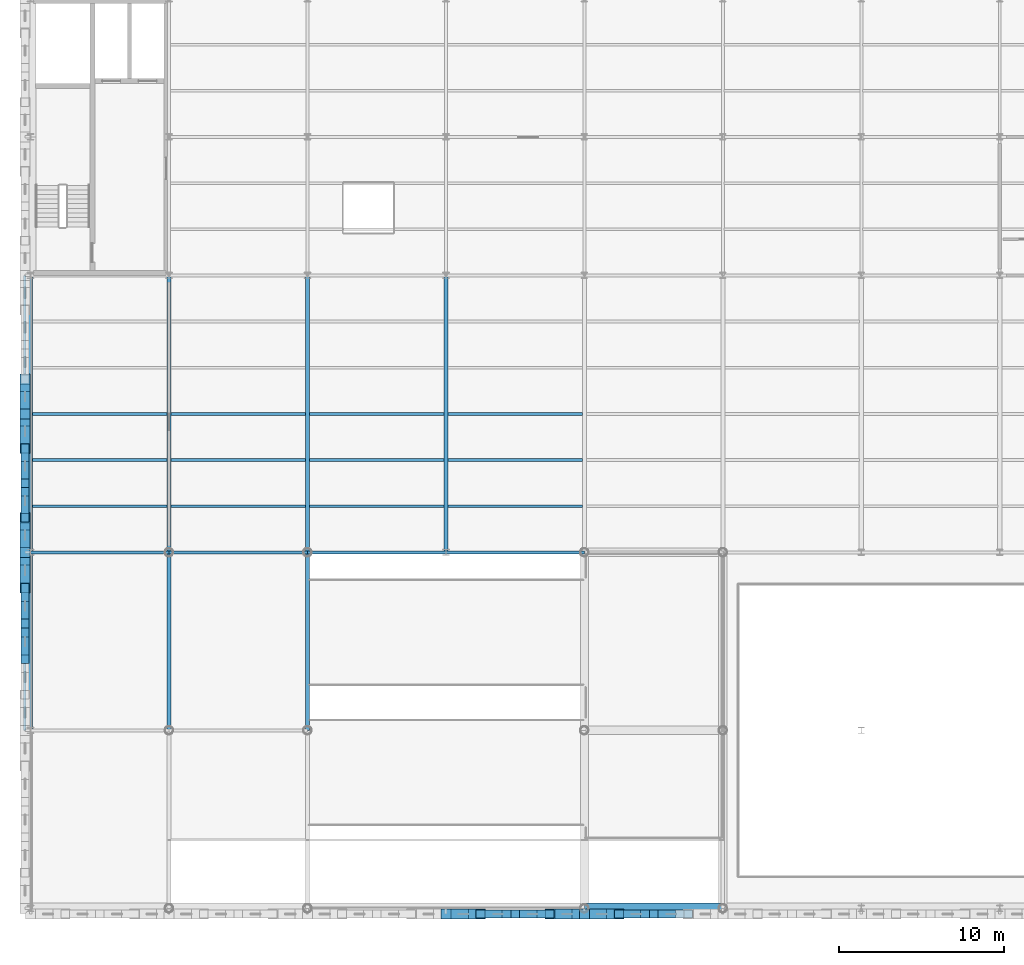
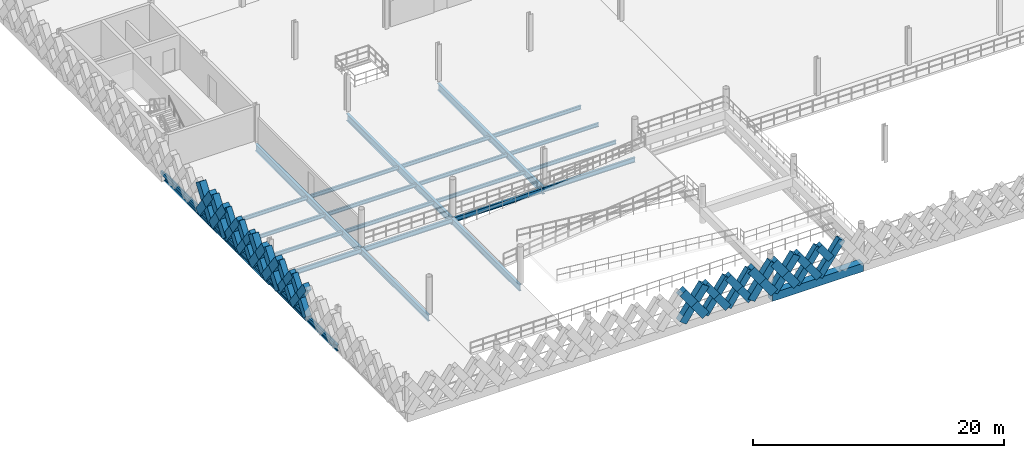
# One storey, part 15 of 62: 46 members, 24 beams.
"""IFC4 building model written with IfcOpenShell, lengths in metres."""

import ifcopenshell
import ifcopenshell.guid

model = None  # the IFC model being written
_history = None  # IfcOwnerHistory: only IFC2X3 demands one
_inside = {}  # id of a spatial element -> (the spatial element, [elements in it])
_under = {}  # id of a project, library or spatial element -> (it, [spatial elements below it])
_declared = {}  # id of a project -> (the project, [libraries it declares])
_typed = {}  # id of a type object -> (the type object, [elements of that type])
_made_of = {}  # id of a material, layer set ... -> (it, [elements and type objects made of it])


def new_model(schema):
    """Start an empty IFC model of exactly this schema.

    Asked for "IFC4X3", IfcOpenShell would pick the latest addendum, in which some entities
    have other attributes; the version numbers below select the first issue.
    IFC2X3 requires an IfcOwnerHistory on every rooted entity: one is made here for all.
    """
    global model, _history
    if schema == "IFC4X3":
        model = ifcopenshell.file(schema_version=(4, 3, 0, 0))
    else:
        model = ifcopenshell.file(schema=schema)
    _inside.clear()
    _under.clear()
    _declared.clear()
    _typed.clear()
    _made_of.clear()
    _history = None
    if model.schema == "IFC2X3":
        org = make("IfcOrganization", Name="unknown")
        user = make(
            "IfcPersonAndOrganization",
            ThePerson=make("IfcPerson", FamilyName="unknown"),
            TheOrganization=org,
        )
        app = make(
            "IfcApplication",
            ApplicationDeveloper=org,
            Version="unknown",
            ApplicationFullName="unknown",
            ApplicationIdentifier="unknown",
        )
        _history = make(
            "IfcOwnerHistory",
            OwningUser=user,
            OwningApplication=app,
            ChangeAction="ADDED",
            CreationDate=0,
        )
    return model


def make(cls, **values):
    """One entity of the class cls with the attributes given. An attribute that is None is left unset."""
    return model.create_entity(
        cls, **{name: value for name, value in values.items() if value is not None}
    )


def rooted(cls, **values):
    """An entity with a GlobalId (a new one), such as an element, a storey or a relation."""
    return make(cls, GlobalId=ifcopenshell.guid.new(), OwnerHistory=_history, **values)


def si_unit(unit_type, name, prefix=None):
    """IfcSIUnit, for example si_unit("LENGTHUNIT", "METRE", prefix="MILLI")."""
    return make("IfcSIUnit", UnitType=unit_type, Prefix=prefix, Name=name)


def assignment(units):
    """IfcUnitAssignment: the units of a project."""
    return None if units is None else make("IfcUnitAssignment", Units=units)


def point(xyz):
    """IfcCartesianPoint."""
    return None if xyz is None else make("IfcCartesianPoint", Coordinates=xyz)


def direction(xyz):
    """IfcDirection."""
    return None if xyz is None else make("IfcDirection", DirectionRatios=xyz)


def frame(location, z_axis=None, x_axis=None):
    """IfcAxis2Placement3D, a coordinate frame: its origin and axes. An axis left out is left unset."""
    return make(
        "IfcAxis2Placement3D",
        Location=point(location),
        Axis=direction(z_axis),
        RefDirection=direction(x_axis),
    )


def frame_2d(location, x_axis=None):
    """IfcAxis2Placement2D, a coordinate frame in the plane: its origin and x axis."""
    return make(
        "IfcAxis2Placement2D", Location=point(location), RefDirection=direction(x_axis)
    )


def origin():
    """The frame at (0, 0, 0) with its axes left unset."""
    return frame((0.0, 0.0, 0.0))


def origin_2d():
    """The frame at (0, 0) in the plane with its x axis left unset."""
    return frame_2d((0.0, 0.0))


def place(relative_to, where):
    """IfcLocalPlacement: puts the frame where relative to a parent placement (None: the world)."""
    return make(
        "IfcLocalPlacement", PlacementRelTo=relative_to, RelativePlacement=where
    )


def context(
    kind, dimensions, precision=None, world=None, true_north=None, identifier=None
):
    """IfcGeometricRepresentationContext, for example the 3D "Model" context."""
    return make(
        "IfcGeometricRepresentationContext",
        ContextIdentifier=identifier,
        ContextType=kind,
        CoordinateSpaceDimension=dimensions,
        Precision=precision,
        WorldCoordinateSystem=world,
        TrueNorth=true_north,
    )


def subcontext(parent, identifier, kind, view, scale=None):
    """IfcGeometricRepresentationSubContext, for example "Body" below "Model"."""
    return make(
        "IfcGeometricRepresentationSubContext",
        ContextIdentifier=identifier,
        ContextType=kind,
        ParentContext=parent,
        TargetScale=scale,
        TargetView=view,
    )


def project(units=None, contexts=None):
    """IfcProject with its units and contexts."""
    return rooted(
        "IfcProject",
        Name="project",
        RepresentationContexts=contexts,
        UnitsInContext=assignment(units),
    )


def spatial(cls, under=None, at=None, **own):
    """A site, building, storey or space (cls), placed at a placement, below another one or the project."""
    s = rooted(cls, ObjectPlacement=at, **own)
    if under is not None:
        _under.setdefault(under.id(), (under, []))[1].append(s)
    return s


def profile(cls, at=None, kind="AREA", **sizes):
    """A parametric profile (cls). Its sizes go by their IFC names, for example OverallWidth=200.0."""
    return make(cls, ProfileType=kind, Position=at, **sizes)


def rectangle(**sizes):
    """IfcRectangleProfileDef."""
    return profile("IfcRectangleProfileDef", **sizes)


def hollow_rectangle(**sizes):
    """IfcRectangleHollowProfileDef."""
    return profile("IfcRectangleHollowProfileDef", **sizes)


def i_section(**sizes):
    """IfcIShapeProfileDef."""
    return profile("IfcIShapeProfileDef", **sizes)


def extrude(swept, where, along, depth):
    """IfcExtrudedAreaSolid: the profile swept, set in the frame where, extruded along a direction by depth."""
    return make(
        "IfcExtrudedAreaSolid",
        SweptArea=swept,
        Position=where,
        ExtrudedDirection=direction(along),
        Depth=depth,
    )


def shape(context_of_items, identifier, shape_type, items):
    """IfcShapeRepresentation: the items that make up one representation, for example the "Body"."""
    return make(
        "IfcShapeRepresentation",
        ContextOfItems=context_of_items,
        RepresentationIdentifier=identifier,
        RepresentationType=shape_type,
        Items=items,
    )


def material(Name=None, Category=None):
    """IfcMaterial."""
    return make("IfcMaterial", Name=Name, Category=Category)


def material_profile(
    of_material, cross_section, Name=None, Category=None, Priority=None
):
    """IfcMaterialProfile: a cross section and its material."""
    return make(
        "IfcMaterialProfile",
        Name=Name,
        Material=of_material,
        Profile=cross_section,
        Priority=Priority,
        Category=Category,
    )


def profile_set(profiles, Name=None, composite=None):
    """IfcMaterialProfileSet."""
    return make(
        "IfcMaterialProfileSet",
        Name=Name,
        MaterialProfiles=profiles,
        CompositeProfile=composite,
    )


def made_of(thing, what):
    """Note that an element or type object is made of a material, layer set ...; save() writes the relation."""
    if what is not None:
        _made_of.setdefault(what.id(), (what, []))[1].append(thing)
    return thing


def type_object(cls, material=None, **own):
    """A type object (cls), such as IfcWallType, which elements share."""
    return made_of(rooted(cls, **own), material)


def element(
    cls,
    number,
    at=None,
    inside=None,
    cuts=None,
    type_object=None,
    material=None,
    context=None,
    identifier="Body",
    shape_type=None,
    held_by="IfcProductDefinitionShape",
    body=None,
    shapes=None,
    **own,
):
    """One element of the class cls, such as IfcWall. Its Tag is "e" and its number.

    at: its placement. inside: the storey or other place that contains it. cuts: it is an
    opening in that element (IfcRelVoidsElement). A single representation is given by context,
    identifier, shape_type and body (its items); several are given by shapes. held_by: the class
    of the entity that holds the representations. save() writes the other relations.
    """
    e = rooted(cls, Tag="e%d" % number, ObjectPlacement=at, **own)
    if body is not None:
        shapes = [shape(context, identifier, shape_type, body)]
    if shapes is not None:
        e.Representation = make(held_by, Representations=shapes)
    if inside is not None:
        _inside.setdefault(inside.id(), (inside, []))[1].append(e)
    if cuts is not None:
        rooted(
            "IfcRelVoidsElement", RelatingBuildingElement=cuts, RelatedOpeningElement=e
        )
    if type_object is not None:
        _typed.setdefault(type_object.id(), (type_object, []))[1].append(e)
    return made_of(e, material)


def aggregate(whole, parts):
    """IfcRelAggregates: a whole, such as a stair, and the parts it consists of."""
    return rooted("IfcRelAggregates", RelatingObject=whole, RelatedObjects=parts)


def save(model, path):
    """Write the relations noted so far, then the file.

    IfcRelAggregates (storeys below a building ...), IfcRelContainedInSpatialStructure (elements
    in a storey), IfcRelDefinesByType, IfcRelAssociatesMaterial and IfcRelDeclares: one each for
    every whole, place, type object, material and project.
    """
    for whole, parts in _under.values():
        aggregate(whole, parts)
    for where, things in _inside.values():
        rooted(
            "IfcRelContainedInSpatialStructure",
            RelatedElements=things,
            RelatingStructure=where,
        )
    for kind, things in _typed.values():
        rooted("IfcRelDefinesByType", RelatedObjects=things, RelatingType=kind)
    for what, things in _made_of.values():
        rooted("IfcRelAssociatesMaterial", RelatedObjects=things, RelatingMaterial=what)
    for by, libraries in _declared.values():
        rooted("IfcRelDeclares", RelatingContext=by, RelatedDefinitions=libraries)
    model.write(path)


model = new_model("IFC4")

# Units and contexts
model_context = context("Model", 3, precision=1e-05, world=origin(), true_north=direction((0.0, 1.0)))
body_context = subcontext(model_context, "Body", "Model", "MODEL_VIEW")
ifc_project = project(units=[si_unit("LENGTHUNIT", "METRE"), si_unit("AREAUNIT", "SQUARE_METRE"), si_unit("VOLUMEUNIT", "CUBIC_METRE"), si_unit("PLANEANGLEUNIT", "RADIAN"), si_unit("MASSUNIT", "GRAM", prefix="KILO"), si_unit("THERMODYNAMICTEMPERATUREUNIT", "KELVIN"), si_unit("POWERUNIT", "WATT")], contexts=[model_context])

# Site, building, storey
site_placement = place(None, origin())
site = spatial("IfcSite", under=ifc_project, at=site_placement, CompositionType="ELEMENT")
building_placement = place(site_placement, origin())
building = spatial("IfcBuilding", under=site, at=building_placement, Name="Tembeka Court Mobility Hub", CompositionType="ELEMENT")
storey_placement = place(building_placement, frame((0.0, 0.0, 16.199951171875)))
storey = spatial("IfcBuildingStorey", under=building, at=storey_placement, Name="L04", CompositionType="ELEMENT", Elevation=16.199951171875)

# Beams
ifc_material_1 = material(Name="Steel S355", Category="steel")
ifc_material_profile_1 = material_profile(ifc_material_1, i_section(OverallWidth=0.18994140625, OverallDepth=0.45703125, WebThickness=0.009033203125, FlangeThickness=0.014404296875, FilletRadius=0.01025390625, at=origin_2d()), Name="UKB 457x191x74")
ifc_profile_set_1 = profile_set([ifc_material_profile_1], Name="Steel S355")
beam_type_1 = type_object("IfcBeamType", Name="BM-B01", PredefinedType="BEAM", material=ifc_profile_set_1)
beam_1_placement = place(storey_placement, frame((0.0, 21.60009765625, -0.478515625), z_axis=(1.0, 0.0, 0.0), x_axis=(0.0, 1.0, 0.0)))
element("IfcBeam", 1, at=beam_1_placement, inside=storey, type_object=beam_type_1, Name="Beam B01 (BM-L04-X2206)", PredefinedType="BEAM", context=body_context, shape_type="SweptSolid", body=[
    extrude(i_section(OverallWidth=0.18994140625, OverallDepth=0.45703125, WebThickness=0.009033203125, FlangeThickness=0.014404296875, FilletRadius=0.01025390625, at=origin_2d()), origin(), (0.0, 0.0, 1.0), 8.39990234375),
])
beam_2_placement = place(storey_placement, frame((8.39990234375, 21.60009765625, -0.478515625), z_axis=(1.0, 0.0, 0.0), x_axis=(0.0, 1.0, 0.0)))
element("IfcBeam", 2, at=beam_2_placement, inside=storey, type_object=beam_type_1, Name="Beam B01 (BM-L04-X2207)", PredefinedType="BEAM", context=body_context, shape_type="SweptSolid", body=[
    extrude(i_section(OverallWidth=0.18994140625, OverallDepth=0.45703125, WebThickness=0.009033203125, FlangeThickness=0.014404296875, FilletRadius=0.01025390625, at=origin_2d()), origin(), (0.0, 0.0, 1.0), 8.400146484375),
])
beam_3_placement = place(storey_placement, frame((16.800048828125, 21.60009765625, -0.478515625), z_axis=(1.0, 0.0, 0.0), x_axis=(0.0, 1.0, 0.0)))
element("IfcBeam", 3, at=beam_3_placement, inside=storey, type_object=beam_type_1, Name="Beam B01 (BM-L04-X2208)", PredefinedType="BEAM", context=body_context, shape_type="SweptSolid", body=[
    extrude(i_section(OverallWidth=0.18994140625, OverallDepth=0.45703125, WebThickness=0.009033203125, FlangeThickness=0.014404296875, FilletRadius=0.01025390625, at=origin_2d()), origin(), (0.0, 0.0, 1.0), 8.39990234375),
])
beam_4_placement = place(storey_placement, frame((25.199951171875, 21.60009765625, -0.448486328125), z_axis=(1.0, 0.0, 0.0), x_axis=(0.0, 1.0, 0.0)))
element("IfcBeam", 4, at=beam_4_placement, inside=storey, type_object=beam_type_1, Name="Beam B01 (BM-L04-X2209)", PredefinedType="BEAM", context=body_context, shape_type="SweptSolid", body=[
    extrude(i_section(OverallWidth=0.18994140625, OverallDepth=0.45703125, WebThickness=0.009033203125, FlangeThickness=0.014404296875, FilletRadius=0.01025390625, at=origin_2d()), origin(), (0.0, 0.0, 1.0), 8.400146484375),
])
ifc_material_profile_2 = material_profile(ifc_material_1, i_section(OverallWidth=0.25390625, OverallDepth=0.68408203125, WebThickness=0.012451171875, FlangeThickness=0.01904296875, FilletRadius=0.01513671875, at=origin_2d()), Name="UKB 686x254x140")
ifc_profile_set_2 = profile_set([ifc_material_profile_2], Name="Steel S355")
beam_type_2 = type_object("IfcBeamType", Name="BM-G01", PredefinedType="USERDEFINED", material=ifc_profile_set_2)
for number, where, z_axis, x_axis, name in (
    (5, (0.0, 21.60009765625, -0.56201171875), (0.0, 1.0, 0.0), (-1.0, 0.0, 0.0), "Beam G01 (BM-L04-Y2315)"),
    (6, (8.39990234375, 21.60009765625, -0.592041015625), (0.0, 1.0, 0.0), (-1.0, 0.0, 0.0), "Beam G01 (BM-L04-Y2326)"),
    (7, (16.800048828125, 21.60009765625, -0.592041015625), (0.0, 1.0, 0.0), (-1.0, 0.0, 0.0), "Beam G01 (BM-L04-Y2337)"),
    (8, (25.199951171875, 21.60009765625, -0.56201171875), (0.0, 1.0, 0.0), (-1.0, 0.0, 0.0), "Beam G01 (BM-L04-Y2346)"),
):
    element("IfcBeam", number, at=place(storey_placement, frame(where, z_axis=z_axis, x_axis=x_axis)), inside=storey, type_object=beam_type_2, Name=name, ObjectType="GIRDER", PredefinedType="USERDEFINED", context=body_context, shape_type="SweptSolid", body=[
        extrude(i_section(OverallWidth=0.25390625, OverallDepth=0.68408203125, WebThickness=0.012451171875, FlangeThickness=0.01904296875, FilletRadius=0.01513671875, at=origin_2d()), origin(), (0.0, 0.0, 1.0), 16.7998046875),
    ])
ifc_material_profile_3 = material_profile(ifc_material_1, i_section(OverallWidth=0.22900390625, OverallDepth=0.612060546875, WebThickness=0.011962890625, FlangeThickness=0.01953125, FilletRadius=0.0126953125, at=origin_2d()), Name="UKB 610x229x125")
ifc_profile_set_3 = profile_set([ifc_material_profile_3], Name="Steel S355")
beam_type_3 = type_object("IfcBeamType", Name="BM-G02", PredefinedType="USERDEFINED", material=ifc_profile_set_3)
for number, where, z_axis, x_axis, name in (
    (9, (0.0, 10.800048828125, -0.52587890625), (0.0, 1.0, 0.0), (-1.0, 0.0, 0.0), "Beam G02 (BM-L04-Y2314)"),
    (10, (8.39990234375, 10.800048828125, -0.555908203125), (0.0, 1.0, 0.0), (-1.0, 0.0, 0.0), "Beam G02 (BM-L04-Y2325)"),
    (11, (16.800048828125, 10.800048828125, -0.555908203125), (0.0, 1.0, 0.0), (-1.0, 0.0, 0.0), "Beam G02 (BM-L04-Y2336)"),
):
    element("IfcBeam", number, at=place(storey_placement, frame(where, z_axis=z_axis, x_axis=x_axis)), inside=storey, type_object=beam_type_3, Name=name, ObjectType="GIRDER", PredefinedType="USERDEFINED", context=body_context, shape_type="SweptSolid", body=[
        extrude(i_section(OverallWidth=0.22900390625, OverallDepth=0.612060546875, WebThickness=0.011962890625, FlangeThickness=0.01953125, FilletRadius=0.0126953125, at=origin_2d()), origin(), (0.0, 0.0, 1.0), 10.800048828125),
    ])
ifc_material_profile_4 = material_profile(ifc_material_1, i_section(OverallWidth=0.172119140625, OverallDepth=0.35498046875, WebThickness=0.00732421875, FlangeThickness=0.011474609375, FilletRadius=0.01025390625, at=origin_2d()), Name="UKB 356x171x51")
ifc_profile_set_4 = profile_set([ifc_material_profile_4], Name="Steel S355")
beam_type_4 = type_object("IfcBeamType", Name="BM-J01", PredefinedType="JOIST", material=ifc_profile_set_4)
for number, where, z_axis, x_axis, name in (
    (12, (0.1220703125, 24.39990234375, -0.3974609375), (1.0, 0.0, 0.0), (0.0, 1.0, 0.0), "Beam J01 (JST-L04-2438)"),
    (13, (0.1220703125, 27.199951171875, -0.3974609375), (1.0, 0.0, 0.0), (0.0, 1.0, 0.0), "Beam J01 (JST-L04-2439)"),
    (14, (0.1220703125, 30.0, -0.3974609375), (1.0, 0.0, 0.0), (0.0, 1.0, 0.0), "Beam J01 (JST-L04-2440)"),
    (15, (8.52197265625, 24.39990234375, -0.3974609375), (1.0, 0.0, 0.0), (0.0, 1.0, 0.0), "Beam J01 (JST-L04-2450)"),
    (16, (8.52197265625, 27.199951171875, -0.3974609375), (1.0, 0.0, 0.0), (0.0, 1.0, 0.0), "Beam J01 (JST-L04-2451)"),
    (17, (8.52197265625, 30.0, -0.3974609375), (1.0, 0.0, 0.0), (0.0, 1.0, 0.0), "Beam J01 (JST-L04-2452)"),
):
    element("IfcBeam", number, at=place(storey_placement, frame(where, z_axis=z_axis, x_axis=x_axis)), inside=storey, type_object=beam_type_4, Name=name, PredefinedType="JOIST", context=body_context, shape_type="SweptSolid", body=[
        extrude(i_section(OverallWidth=0.172119140625, OverallDepth=0.35498046875, WebThickness=0.00732421875, FlangeThickness=0.011474609375, FilletRadius=0.01025390625, at=origin_2d()), origin(), (0.0, 0.0, 1.0), 8.156005859375),
    ])
for number, where, z_axis, x_axis, name in (
    (18, (16.922119140625, 24.39990234375, -0.3974609375), (1.0, 0.0, 0.0), (0.0, 1.0, 0.0), "Beam J01 (JST-L04-2470)"),
    (19, (16.922119140625, 27.199951171875, -0.3974609375), (1.0, 0.0, 0.0), (0.0, 1.0, 0.0), "Beam J01 (JST-L04-2471)"),
    (20, (16.922119140625, 30.0, -0.3974609375), (1.0, 0.0, 0.0), (0.0, 1.0, 0.0), "Beam J01 (JST-L04-2472)"),
):
    element("IfcBeam", number, at=place(storey_placement, frame(where, z_axis=z_axis, x_axis=x_axis)), inside=storey, type_object=beam_type_4, Name=name, PredefinedType="JOIST", context=body_context, shape_type="SweptSolid", body=[
        extrude(i_section(OverallWidth=0.172119140625, OverallDepth=0.35498046875, WebThickness=0.00732421875, FlangeThickness=0.011474609375, FilletRadius=0.01025390625, at=origin_2d()), origin(), (0.0, 0.0, 1.0), 8.15576171875),
    ])
for number, where, z_axis, x_axis, name in (
    (21, (25.322021484375, 24.39990234375, -0.3974609375), (1.0, 0.0, 0.0), (0.0, 1.0, 0.0), "Beam J01 (JST-L04-2490)"),
    (22, (25.322021484375, 27.199951171875, -0.3974609375), (1.0, 0.0, 0.0), (0.0, 1.0, 0.0), "Beam J01 (JST-L04-2491)"),
    (23, (25.322021484375, 30.0, -0.3974609375), (1.0, 0.0, 0.0), (0.0, 1.0, 0.0), "Beam J01 (JST-L04-2492)"),
):
    element("IfcBeam", number, at=place(storey_placement, frame(where, z_axis=z_axis, x_axis=x_axis)), inside=storey, type_object=beam_type_4, Name=name, PredefinedType="JOIST", context=body_context, shape_type="SweptSolid", body=[
        extrude(i_section(OverallWidth=0.172119140625, OverallDepth=0.35498046875, WebThickness=0.00732421875, FlangeThickness=0.011474609375, FilletRadius=0.01025390625, at=origin_2d()), origin(), (0.0, 0.0, 1.0), 8.156005859375),
    ])
ifc_material_2 = material(Name="Precast concrete C45/55", Category="concrete")
ifc_material_profile_5 = material_profile(ifc_material_2, rectangle(XDim=0.64990234375, YDim=0.800048828125, at=origin_2d()), Name="PC-SP 650x800")
ifc_profile_set_5 = profile_set([ifc_material_profile_5], Name="Precast concrete C45/55")
beam_type_5 = type_object("IfcBeamType", Name="BM-SP01", PredefinedType="SPANDREL", material=ifc_profile_set_5)
beam_5_placement = place(storey_placement, frame((33.60009765625, 0.0, -0.619873046875), z_axis=(1.0, 0.0, 0.0), x_axis=(0.0, 1.0, 0.0)))
element("IfcBeam", 24, at=beam_5_placement, inside=storey, type_object=beam_type_5, Name="Beam SP01 (BM-L04-X2188)", PredefinedType="SPANDREL", context=body_context, shape_type="SweptSolid", body=[
    extrude(rectangle(XDim=0.64990234375, YDim=0.800048828125, at=origin_2d()), origin(), (0.0, 0.0, 1.0), 8.39990234375),
])

# Members
ifc_material_profile_6 = material_profile(ifc_material_2, rectangle(XDim=0.5, YDim=0.64990234375, at=origin_2d()), Name="PC-DIAG 500x650")
ifc_profile_set_6 = profile_set([ifc_material_profile_6], Name="Precast concrete C45/55")
member_type_1 = type_object("IfcMemberType", Name="MEM-DL01", PredefinedType="BRACE", material=ifc_profile_set_6)
member_1_placement = place(storey_placement, frame((27.300048828125, -0.340087890625, 0.02001953125), z_axis=(0.58253161945, 0.0, 0.812808041509), x_axis=(0.0, 1.0, 0.0)))
element("IfcMember", 25, at=member_1_placement, inside=storey, type_object=member_type_1, Name="Precast diamond lattice continuous strand DL01 (L04-602A)", PredefinedType="BRACE", context=body_context, shape_type="SweptSolid", body=[
    extrude(rectangle(XDim=0.5, YDim=0.64990234375, at=origin_2d()), origin(), (0.0, 0.0, 1.0), 3.604736328125),
])
member_2_placement = place(storey_placement, frame((29.39990234375, -0.340087890625, 0.02001953125), z_axis=(-0.582454804382, 0.0, 0.812863088627), x_axis=(0.0, -1.0, 0.0)))
element("IfcMember", 26, at=member_2_placement, inside=storey, type_object=member_type_1, Name="Precast diamond lattice split lower strand DL01 (L04-602B1)", PredefinedType="BRACE", context=body_context, shape_type="SweptSolid", body=[
    extrude(rectangle(XDim=0.5, YDim=0.64990234375, at=origin_2d()), origin(), (0.0, 0.0, 1.0), 1.802490234375),
])
member_3_placement = place(storey_placement, frame((28.35009765625, -0.340087890625, 1.485107421875), z_axis=(-0.582608431711, 0.0, 0.812752985414), x_axis=(0.0, -1.0, 0.0)))
element("IfcMember", 27, at=member_3_placement, inside=storey, type_object=member_type_1, Name="Precast diamond lattice split upper strand DL01 (L04-602B2)", PredefinedType="BRACE", context=body_context, shape_type="SweptSolid", body=[
    extrude(rectangle(XDim=0.5, YDim=0.64990234375, at=origin_2d()), origin(), (0.0, 0.0, 1.0), 1.80224609375),
])
member_4_placement = place(storey_placement, frame((29.39990234375, -0.340087890625, 0.02001953125), z_axis=(0.582576362011, 0.0, 0.812775973086), x_axis=(0.0, 1.0, 0.0)))
element("IfcMember", 28, at=member_4_placement, inside=storey, type_object=member_type_1, Name="Precast diamond lattice continuous strand DL01 (L04-603A)", PredefinedType="BRACE", context=body_context, shape_type="SweptSolid", body=[
    extrude(rectangle(XDim=0.5, YDim=0.64990234375, at=origin_2d()), origin(), (0.0, 0.0, 1.0), 3.604736328125),
])
member_5_placement = place(storey_placement, frame((31.5, -0.340087890625, 0.02001953125), z_axis=(-0.582544294934, 0.0, 0.812798956963), x_axis=(0.0, -1.0, 0.0)))
element("IfcMember", 29, at=member_5_placement, inside=storey, type_object=member_type_1, Name="Precast diamond lattice split lower strand DL01 (L04-603B1)", PredefinedType="BRACE", context=body_context, shape_type="SweptSolid", body=[
    extrude(rectangle(XDim=0.5, YDim=0.64990234375, at=origin_2d()), origin(), (0.0, 0.0, 1.0), 1.802490234375),
])
member_6_placement = place(storey_placement, frame((30.449951171875, -0.340087890625, 1.485107421875), z_axis=(-0.582608431711, 0.0, 0.812752985414), x_axis=(0.0, -1.0, 0.0)))
element("IfcMember", 30, at=member_6_placement, inside=storey, type_object=member_type_1, Name="Precast diamond lattice split upper strand DL01 (L04-603B2)", PredefinedType="BRACE", context=body_context, shape_type="SweptSolid", body=[
    extrude(rectangle(XDim=0.5, YDim=0.64990234375, at=origin_2d()), origin(), (0.0, 0.0, 1.0), 1.80224609375),
])
member_7_placement = place(storey_placement, frame((35.699951171875, -0.340087890625, 0.02001953125), z_axis=(0.582576362011, 0.0, 0.812775973086), x_axis=(0.0, 1.0, 0.0)))
element("IfcMember", 31, at=member_7_placement, inside=storey, type_object=member_type_1, Name="Precast diamond lattice continuous strand DL01 (L04-606A)", PredefinedType="BRACE", context=body_context, shape_type="SweptSolid", body=[
    extrude(rectangle(XDim=0.5, YDim=0.64990234375, at=origin_2d()), origin(), (0.0, 0.0, 1.0), 3.604736328125),
])
member_8_placement = place(storey_placement, frame((37.800048828125, -0.340087890625, 0.02001953125), z_axis=(-0.582544294934, 0.0, 0.812798956963), x_axis=(0.0, -1.0, 0.0)))
element("IfcMember", 32, at=member_8_placement, inside=storey, type_object=member_type_1, Name="Precast diamond lattice split lower strand DL01 (L04-606B1)", PredefinedType="BRACE", context=body_context, shape_type="SweptSolid", body=[
    extrude(rectangle(XDim=0.5, YDim=0.64990234375, at=origin_2d()), origin(), (0.0, 0.0, 1.0), 1.802490234375),
])
member_9_placement = place(storey_placement, frame((36.75, -0.340087890625, 1.485107421875), z_axis=(-0.582608431711, 0.0, 0.812752985414), x_axis=(0.0, -1.0, 0.0)))
element("IfcMember", 33, at=member_9_placement, inside=storey, type_object=member_type_1, Name="Precast diamond lattice split upper strand DL01 (L04-606B2)", PredefinedType="BRACE", context=body_context, shape_type="SweptSolid", body=[
    extrude(rectangle(XDim=0.5, YDim=0.64990234375, at=origin_2d()), origin(), (0.0, 0.0, 1.0), 1.80224609375),
])
member_10_placement = place(storey_placement, frame((37.800048828125, -0.340087890625, 0.02001953125), z_axis=(0.58253161945, 0.0, 0.812808041509), x_axis=(0.0, 1.0, 0.0)))
element("IfcMember", 34, at=member_10_placement, inside=storey, type_object=member_type_1, Name="Precast diamond lattice continuous strand DL01 (L04-607A)", PredefinedType="BRACE", context=body_context, shape_type="SweptSolid", body=[
    extrude(rectangle(XDim=0.5, YDim=0.64990234375, at=origin_2d()), origin(), (0.0, 0.0, 1.0), 3.604736328125),
])
member_11_placement = place(storey_placement, frame((38.85009765625, -0.340087890625, 1.485107421875), z_axis=(-0.582608431711, 0.0, 0.812752985414), x_axis=(0.0, -1.0, 0.0)))
element("IfcMember", 35, at=member_11_placement, inside=storey, type_object=member_type_1, Name="Precast diamond lattice split upper strand DL01 (L04-607B2)", PredefinedType="BRACE", context=body_context, shape_type="SweptSolid", body=[
    extrude(rectangle(XDim=0.5, YDim=0.64990234375, at=origin_2d()), origin(), (0.0, 0.0, 1.0), 1.80224609375),
])
member_12_placement = place(storey_placement, frame((-0.340087890625, 15.1201171875, 0.02001953125), z_axis=(0.0, 0.593379766398, 0.804922637792), x_axis=(-1.0, 0.0, 0.0)))
element("IfcMember", 36, at=member_12_placement, inside=storey, type_object=member_type_1, Name="Precast diamond lattice continuous strand DL01 (L04-684C)", PredefinedType="BRACE", context=body_context, shape_type="SweptSolid", body=[
    extrude(rectangle(XDim=0.5, YDim=0.64990234375, at=origin_2d()), origin(), (0.0, 0.0, 1.0), 3.64013671875),
])
member_13_placement = place(storey_placement, frame((-0.340087890625, 17.280029296875, 0.02001953125), z_axis=(0.0, -0.593391185876, 0.804914219358), x_axis=(1.0, 0.0, 0.0)))
element("IfcMember", 37, at=member_13_placement, inside=storey, type_object=member_type_1, Name="Precast diamond lattice split lower strand DL01 (L04-684D1)", PredefinedType="BRACE", context=body_context, shape_type="SweptSolid", body=[
    extrude(rectangle(XDim=0.5, YDim=0.64990234375, at=origin_2d()), origin(), (0.0, 0.0, 1.0), 1.820068359375),
])
member_14_placement = place(storey_placement, frame((-0.340087890625, 16.199951171875, 1.485107421875), z_axis=(0.0, -0.593368344659, 0.804931057642), x_axis=(1.0, 0.0, 0.0)))
element("IfcMember", 38, at=member_14_placement, inside=storey, type_object=member_type_1, Name="Precast diamond lattice split upper strand DL01 (L04-684D2)", PredefinedType="BRACE", context=body_context, shape_type="SweptSolid", body=[
    extrude(rectangle(XDim=0.5, YDim=0.64990234375, at=origin_2d()), origin(), (0.0, 0.0, 1.0), 1.81982421875),
])
member_15_placement = place(storey_placement, frame((-0.340087890625, 17.280029296875, 0.02001953125), z_axis=(0.0, 0.593379766398, 0.804922637792), x_axis=(-1.0, 0.0, 0.0)))
element("IfcMember", 39, at=member_15_placement, inside=storey, type_object=member_type_1, Name="Precast diamond lattice continuous strand DL01 (L04-685C)", PredefinedType="BRACE", context=body_context, shape_type="SweptSolid", body=[
    extrude(rectangle(XDim=0.5, YDim=0.64990234375, at=origin_2d()), origin(), (0.0, 0.0, 1.0), 3.64013671875),
])
for number, where, z_axis, x_axis, name in (
    (40, (-0.340087890625, 19.43994140625, 0.02001953125), (0.0, -0.593304274421, 0.804978284151), (1.0, 0.0, 0.0), "Precast diamond lattice split lower strand DL01 (L04-685D1)"),
    (41, (-0.340087890625, 18.360107421875, 1.485107421875), (0.0, -0.593455255298, 0.804866982773), (1.0, 0.0, 0.0), "Precast diamond lattice split upper strand DL01 (L04-685D2)"),
):
    element("IfcMember", number, at=place(storey_placement, frame(where, z_axis=z_axis, x_axis=x_axis)), inside=storey, type_object=member_type_1, Name=name, PredefinedType="BRACE", context=body_context, shape_type="SweptSolid", body=[
        extrude(rectangle(XDim=0.5, YDim=0.64990234375, at=origin_2d()), origin(), (0.0, 0.0, 1.0), 1.820068359375),
    ])
member_16_placement = place(storey_placement, frame((-0.340087890625, 23.699951171875, 0.02001953125), z_axis=(0.0, 0.582576362011, 0.812775973086), x_axis=(-1.0, 0.0, 0.0)))
element("IfcMember", 42, at=member_16_placement, inside=storey, type_object=member_type_1, Name="Precast diamond lattice continuous strand DL01 (L04-688C)", PredefinedType="BRACE", context=body_context, shape_type="SweptSolid", body=[
    extrude(rectangle(XDim=0.5, YDim=0.64990234375, at=origin_2d()), origin(), (0.0, 0.0, 1.0), 3.604736328125),
])
member_17_placement = place(storey_placement, frame((-0.340087890625, 25.800048828125, 0.02001953125), z_axis=(0.0, -0.582544294934, 0.812798956963), x_axis=(1.0, 0.0, 0.0)))
element("IfcMember", 43, at=member_17_placement, inside=storey, type_object=member_type_1, Name="Precast diamond lattice split lower strand DL01 (L04-688D1)", PredefinedType="BRACE", context=body_context, shape_type="SweptSolid", body=[
    extrude(rectangle(XDim=0.5, YDim=0.64990234375, at=origin_2d()), origin(), (0.0, 0.0, 1.0), 1.802490234375),
])
member_18_placement = place(storey_placement, frame((-0.340087890625, 24.75, 1.485107421875), z_axis=(0.0, -0.582608431711, 0.812752985414), x_axis=(1.0, 0.0, 0.0)))
element("IfcMember", 44, at=member_18_placement, inside=storey, type_object=member_type_1, Name="Precast diamond lattice split upper strand DL01 (L04-688D2)", PredefinedType="BRACE", context=body_context, shape_type="SweptSolid", body=[
    extrude(rectangle(XDim=0.5, YDim=0.64990234375, at=origin_2d()), origin(), (0.0, 0.0, 1.0), 1.80224609375),
])
member_19_placement = place(storey_placement, frame((-0.340087890625, 25.800048828125, 0.02001953125), z_axis=(0.0, 0.58253161945, 0.812808041509), x_axis=(-1.0, 0.0, 0.0)))
element("IfcMember", 45, at=member_19_placement, inside=storey, type_object=member_type_1, Name="Precast diamond lattice continuous strand DL01 (L04-689C)", PredefinedType="BRACE", context=body_context, shape_type="SweptSolid", body=[
    extrude(rectangle(XDim=0.5, YDim=0.64990234375, at=origin_2d()), origin(), (0.0, 0.0, 1.0), 3.604736328125),
])
member_20_placement = place(storey_placement, frame((-0.340087890625, 27.89990234375, 0.02001953125), z_axis=(0.0, -0.582454804382, 0.812863088627), x_axis=(1.0, 0.0, 0.0)))
element("IfcMember", 46, at=member_20_placement, inside=storey, type_object=member_type_1, Name="Precast diamond lattice split lower strand DL01 (L04-689D1)", PredefinedType="BRACE", context=body_context, shape_type="SweptSolid", body=[
    extrude(rectangle(XDim=0.5, YDim=0.64990234375, at=origin_2d()), origin(), (0.0, 0.0, 1.0), 1.802490234375),
])
member_21_placement = place(storey_placement, frame((-0.340087890625, 26.85009765625, 1.485107421875), z_axis=(0.0, -0.582608431711, 0.812752985414), x_axis=(1.0, 0.0, 0.0)))
element("IfcMember", 47, at=member_21_placement, inside=storey, type_object=member_type_1, Name="Precast diamond lattice split upper strand DL01 (L04-689D2)", PredefinedType="BRACE", context=body_context, shape_type="SweptSolid", body=[
    extrude(rectangle(XDim=0.5, YDim=0.64990234375, at=origin_2d()), origin(), (0.0, 0.0, 1.0), 1.80224609375),
])
ifc_material_profile_7 = material_profile(ifc_material_2, rectangle(XDim=0.60009765625, YDim=0.75, at=origin_2d()), Name="PC-DIAG 600x750")
ifc_profile_set_7 = profile_set([ifc_material_profile_7], Name="Precast concrete C45/55")
member_type_2 = type_object("IfcMemberType", Name="MEM-DL02", PredefinedType="BRACE", material=ifc_profile_set_7)
member_22_placement = place(storey_placement, frame((25.199951171875, -0.340087890625, 0.02001953125), z_axis=(0.582576362011, 0.0, 0.812775973086), x_axis=(0.0, 1.0, 0.0)))
element("IfcMember", 48, at=member_22_placement, inside=storey, type_object=member_type_2, Name="Precast diamond lattice continuous strand DL02 (L04-601A)", PredefinedType="BRACE", context=body_context, shape_type="SweptSolid", body=[
    extrude(rectangle(XDim=0.60009765625, YDim=0.75, at=origin_2d()), origin(), (0.0, 0.0, 1.0), 3.604736328125),
])
member_23_placement = place(storey_placement, frame((27.300048828125, -0.340087890625, 0.02001953125), z_axis=(-0.582544294934, 0.0, 0.812798956963), x_axis=(0.0, -1.0, 0.0)))
element("IfcMember", 49, at=member_23_placement, inside=storey, type_object=member_type_2, Name="Precast diamond lattice split lower strand DL02 (L04-601B1)", PredefinedType="BRACE", context=body_context, shape_type="SweptSolid", body=[
    extrude(rectangle(XDim=0.60009765625, YDim=0.75, at=origin_2d()), origin(), (0.0, 0.0, 1.0), 1.802490234375),
])
member_24_placement = place(storey_placement, frame((26.25, -0.340087890625, 1.485107421875), z_axis=(-0.582608431711, 0.0, 0.812752985414), x_axis=(0.0, -1.0, 0.0)))
element("IfcMember", 50, at=member_24_placement, inside=storey, type_object=member_type_2, Name="Precast diamond lattice split upper strand DL02 (L04-601B2)", PredefinedType="BRACE", context=body_context, shape_type="SweptSolid", body=[
    extrude(rectangle(XDim=0.60009765625, YDim=0.75, at=origin_2d()), origin(), (0.0, 0.0, 1.0), 1.80224609375),
])
member_25_placement = place(storey_placement, frame((31.5, -0.340087890625, 0.02001953125), z_axis=(0.582576362011, 0.0, 0.812775973086), x_axis=(0.0, 1.0, 0.0)))
element("IfcMember", 51, at=member_25_placement, inside=storey, type_object=member_type_2, Name="Precast diamond lattice continuous strand DL02 (L04-604A)", PredefinedType="BRACE", context=body_context, shape_type="SweptSolid", body=[
    extrude(rectangle(XDim=0.60009765625, YDim=0.75, at=origin_2d()), origin(), (0.0, 0.0, 1.0), 3.604736328125),
])
member_26_placement = place(storey_placement, frame((33.60009765625, -0.340087890625, 0.02001953125), z_axis=(-0.582544294934, 0.0, 0.812798956963), x_axis=(0.0, -1.0, 0.0)))
element("IfcMember", 52, at=member_26_placement, inside=storey, type_object=member_type_2, Name="Precast diamond lattice split lower strand DL02 (L04-604B1)", PredefinedType="BRACE", context=body_context, shape_type="SweptSolid", body=[
    extrude(rectangle(XDim=0.60009765625, YDim=0.75, at=origin_2d()), origin(), (0.0, 0.0, 1.0), 1.802490234375),
])
member_27_placement = place(storey_placement, frame((32.550048828125, -0.340087890625, 1.485107421875), z_axis=(-0.582608431711, 0.0, 0.812752985414), x_axis=(0.0, -1.0, 0.0)))
element("IfcMember", 53, at=member_27_placement, inside=storey, type_object=member_type_2, Name="Precast diamond lattice split upper strand DL02 (L04-604B2)", PredefinedType="BRACE", context=body_context, shape_type="SweptSolid", body=[
    extrude(rectangle(XDim=0.60009765625, YDim=0.75, at=origin_2d()), origin(), (0.0, 0.0, 1.0), 1.80224609375),
])
member_28_placement = place(storey_placement, frame((33.60009765625, -0.340087890625, 0.02001953125), z_axis=(0.58253161945, 0.0, 0.812808041509), x_axis=(0.0, 1.0, 0.0)))
element("IfcMember", 54, at=member_28_placement, inside=storey, type_object=member_type_2, Name="Precast diamond lattice continuous strand DL02 (L04-605A)", PredefinedType="BRACE", context=body_context, shape_type="SweptSolid", body=[
    extrude(rectangle(XDim=0.60009765625, YDim=0.75, at=origin_2d()), origin(), (0.0, 0.0, 1.0), 3.604736328125),
])
member_29_placement = place(storey_placement, frame((35.699951171875, -0.340087890625, 0.02001953125), z_axis=(-0.582544294934, 0.0, 0.812798956963), x_axis=(0.0, -1.0, 0.0)))
element("IfcMember", 55, at=member_29_placement, inside=storey, type_object=member_type_2, Name="Precast diamond lattice split lower strand DL02 (L04-605B1)", PredefinedType="BRACE", context=body_context, shape_type="SweptSolid", body=[
    extrude(rectangle(XDim=0.60009765625, YDim=0.75, at=origin_2d()), origin(), (0.0, 0.0, 1.0), 1.802490234375),
])
member_30_placement = place(storey_placement, frame((34.64990234375, -0.340087890625, 1.485107421875), z_axis=(-0.582518941428, 0.0, 0.812817127574), x_axis=(0.0, -1.0, 0.0)))
element("IfcMember", 56, at=member_30_placement, inside=storey, type_object=member_type_2, Name="Precast diamond lattice split upper strand DL02 (L04-605B2)", PredefinedType="BRACE", context=body_context, shape_type="SweptSolid", body=[
    extrude(rectangle(XDim=0.60009765625, YDim=0.75, at=origin_2d()), origin(), (0.0, 0.0, 1.0), 1.80224609375),
])
member_31_placement = place(storey_placement, frame((-0.340087890625, 19.43994140625, 0.02001953125), z_axis=(0.0, 0.593423219328, 0.804890602978), x_axis=(-1.0, 0.0, 0.0)))
element("IfcMember", 57, at=member_31_placement, inside=storey, type_object=member_type_2, Name="Precast diamond lattice continuous strand DL02 (L04-686C)", PredefinedType="BRACE", context=body_context, shape_type="SweptSolid", body=[
    extrude(rectangle(XDim=0.60009765625, YDim=0.75, at=origin_2d()), origin(), (0.0, 0.0, 1.0), 3.64013671875),
])
for number, where, z_axis, x_axis, name in (
    (58, (-0.340087890625, 21.60009765625, 0.02001953125), (0.0, -0.593391185876, 0.804914219358), (1.0, 0.0, 0.0), "Precast diamond lattice split lower strand DL02 (L04-686D1)"),
    (59, (-0.340087890625, 20.52001953125, 1.485107421875), (0.0, -0.593455255298, 0.804866982773), (1.0, 0.0, 0.0), "Precast diamond lattice split upper strand DL02 (L04-686D2)"),
):
    element("IfcMember", number, at=place(storey_placement, frame(where, z_axis=z_axis, x_axis=x_axis)), inside=storey, type_object=member_type_2, Name=name, PredefinedType="BRACE", context=body_context, shape_type="SweptSolid", body=[
        extrude(rectangle(XDim=0.60009765625, YDim=0.75, at=origin_2d()), origin(), (0.0, 0.0, 1.0), 1.820068359375),
    ])
member_32_placement = place(storey_placement, frame((-0.340087890625, 21.60009765625, 0.02001953125), z_axis=(0.0, 0.58253161945, 0.812808041509), x_axis=(-1.0, 0.0, 0.0)))
element("IfcMember", 60, at=member_32_placement, inside=storey, type_object=member_type_2, Name="Precast diamond lattice continuous strand DL02 (L04-687C)", PredefinedType="BRACE", context=body_context, shape_type="SweptSolid", body=[
    extrude(rectangle(XDim=0.60009765625, YDim=0.75, at=origin_2d()), origin(), (0.0, 0.0, 1.0), 3.604736328125),
])
member_33_placement = place(storey_placement, frame((-0.340087890625, 23.699951171875, 0.02001953125), z_axis=(0.0, -0.582544294934, 0.812798956963), x_axis=(1.0, 0.0, 0.0)))
element("IfcMember", 61, at=member_33_placement, inside=storey, type_object=member_type_2, Name="Precast diamond lattice split lower strand DL02 (L04-687D1)", PredefinedType="BRACE", context=body_context, shape_type="SweptSolid", body=[
    extrude(rectangle(XDim=0.60009765625, YDim=0.75, at=origin_2d()), origin(), (0.0, 0.0, 1.0), 1.802490234375),
])
member_34_placement = place(storey_placement, frame((-0.340087890625, 22.64990234375, 1.485107421875), z_axis=(0.0, -0.582518941428, 0.812817127574), x_axis=(1.0, 0.0, 0.0)))
element("IfcMember", 62, at=member_34_placement, inside=storey, type_object=member_type_2, Name="Precast diamond lattice split upper strand DL02 (L04-687D2)", PredefinedType="BRACE", context=body_context, shape_type="SweptSolid", body=[
    extrude(rectangle(XDim=0.60009765625, YDim=0.75, at=origin_2d()), origin(), (0.0, 0.0, 1.0), 1.80224609375),
])
member_35_placement = place(storey_placement, frame((-0.340087890625, 27.89990234375, 0.02001953125), z_axis=(0.0, 0.582576362011, 0.812775973086), x_axis=(-1.0, 0.0, 0.0)))
element("IfcMember", 63, at=member_35_placement, inside=storey, type_object=member_type_2, Name="Precast diamond lattice continuous strand DL02 (L04-690C)", PredefinedType="BRACE", context=body_context, shape_type="SweptSolid", body=[
    extrude(rectangle(XDim=0.60009765625, YDim=0.75, at=origin_2d()), origin(), (0.0, 0.0, 1.0), 3.604736328125),
])
member_36_placement = place(storey_placement, frame((-0.340087890625, 30.0, 0.02001953125), z_axis=(0.0, -0.582544294934, 0.812798956963), x_axis=(1.0, 0.0, 0.0)))
element("IfcMember", 64, at=member_36_placement, inside=storey, type_object=member_type_2, Name="Precast diamond lattice split lower strand DL02 (L04-690D1)", PredefinedType="BRACE", context=body_context, shape_type="SweptSolid", body=[
    extrude(rectangle(XDim=0.60009765625, YDim=0.75, at=origin_2d()), origin(), (0.0, 0.0, 1.0), 1.802490234375),
])
member_37_placement = place(storey_placement, frame((-0.340087890625, 28.949951171875, 1.485107421875), z_axis=(0.0, -0.582608431711, 0.812752985414), x_axis=(1.0, 0.0, 0.0)))
element("IfcMember", 65, at=member_37_placement, inside=storey, type_object=member_type_2, Name="Precast diamond lattice split upper strand DL02 (L04-690D2)", PredefinedType="BRACE", context=body_context, shape_type="SweptSolid", body=[
    extrude(rectangle(XDim=0.60009765625, YDim=0.75, at=origin_2d()), origin(), (0.0, 0.0, 1.0), 1.80224609375),
])
member_38_placement = place(storey_placement, frame((-0.340087890625, 30.0, 0.02001953125), z_axis=(0.0, 0.582576362011, 0.812775973086), x_axis=(-1.0, 0.0, 0.0)))
element("IfcMember", 66, at=member_38_placement, inside=storey, type_object=member_type_2, Name="Precast diamond lattice continuous strand DL02 (L04-691C)", PredefinedType="BRACE", context=body_context, shape_type="SweptSolid", body=[
    extrude(rectangle(XDim=0.60009765625, YDim=0.75, at=origin_2d()), origin(), (0.0, 0.0, 1.0), 3.604736328125),
])
member_39_placement = place(storey_placement, frame((-0.340087890625, 32.10009765625, 0.02001953125), z_axis=(0.0, -0.582544294934, 0.812798956963), x_axis=(1.0, 0.0, 0.0)))
element("IfcMember", 67, at=member_39_placement, inside=storey, type_object=member_type_2, Name="Precast diamond lattice split lower strand DL02 (L04-691D1)", PredefinedType="BRACE", context=body_context, shape_type="SweptSolid", body=[
    extrude(rectangle(XDim=0.60009765625, YDim=0.75, at=origin_2d()), origin(), (0.0, 0.0, 1.0), 1.802490234375),
])
member_40_placement = place(storey_placement, frame((-0.340087890625, 31.050048828125, 1.485107421875), z_axis=(0.0, -0.582608431711, 0.812752985414), x_axis=(1.0, 0.0, 0.0)))
element("IfcMember", 68, at=member_40_placement, inside=storey, type_object=member_type_2, Name="Precast diamond lattice split upper strand DL02 (L04-691D2)", PredefinedType="BRACE", context=body_context, shape_type="SweptSolid", body=[
    extrude(rectangle(XDim=0.60009765625, YDim=0.75, at=origin_2d()), origin(), (0.0, 0.0, 1.0), 1.80224609375),
])
ifc_material_profile_8 = material_profile(ifc_material_1, hollow_rectangle(XDim=0.14990234375, YDim=0.300048828125, WallThickness=0.010009765625, at=origin_2d()), Name="RHS 300x150x10")
ifc_profile_set_8 = profile_set([ifc_material_profile_8], Name="Steel S355")
member_type_3 = type_object("IfcMemberType", Name="MEM-ST03", PredefinedType="STRUT", material=ifc_profile_set_8)
member_41_placement = place(storey_placement, frame((-0.340087890625, 10.800048828125, 0.02001953125), z_axis=(0.0, 1.0, 0.0), x_axis=(-1.0, 0.0, 0.0)))
element("IfcMember", 69, at=member_41_placement, inside=storey, type_object=member_type_3, Name="Proud lattice sill tie chord SR03 (L04-W-10)", PredefinedType="STRUT", context=body_context, shape_type="SweptSolid", body=[
    extrude(hollow_rectangle(XDim=0.14990234375, YDim=0.300048828125, WallThickness=0.010009765625, at=origin_2d()), origin(), (0.0, 0.0, 1.0), 10.800048828125),
])
member_42_placement = place(storey_placement, frame((-0.340087890625, 21.60009765625, 0.02001953125), z_axis=(0.0, 1.0, 0.0), x_axis=(-1.0, 0.0, 0.0)))
element("IfcMember", 70, at=member_42_placement, inside=storey, type_object=member_type_3, Name="Proud lattice sill tie chord SR03 (L04-W-21)", PredefinedType="STRUT", context=body_context, shape_type="SweptSolid", body=[
    extrude(hollow_rectangle(XDim=0.14990234375, YDim=0.300048828125, WallThickness=0.010009765625, at=origin_2d()), origin(), (0.0, 0.0, 1.0), 16.7998046875),
])

save(model, "model.ifc")
